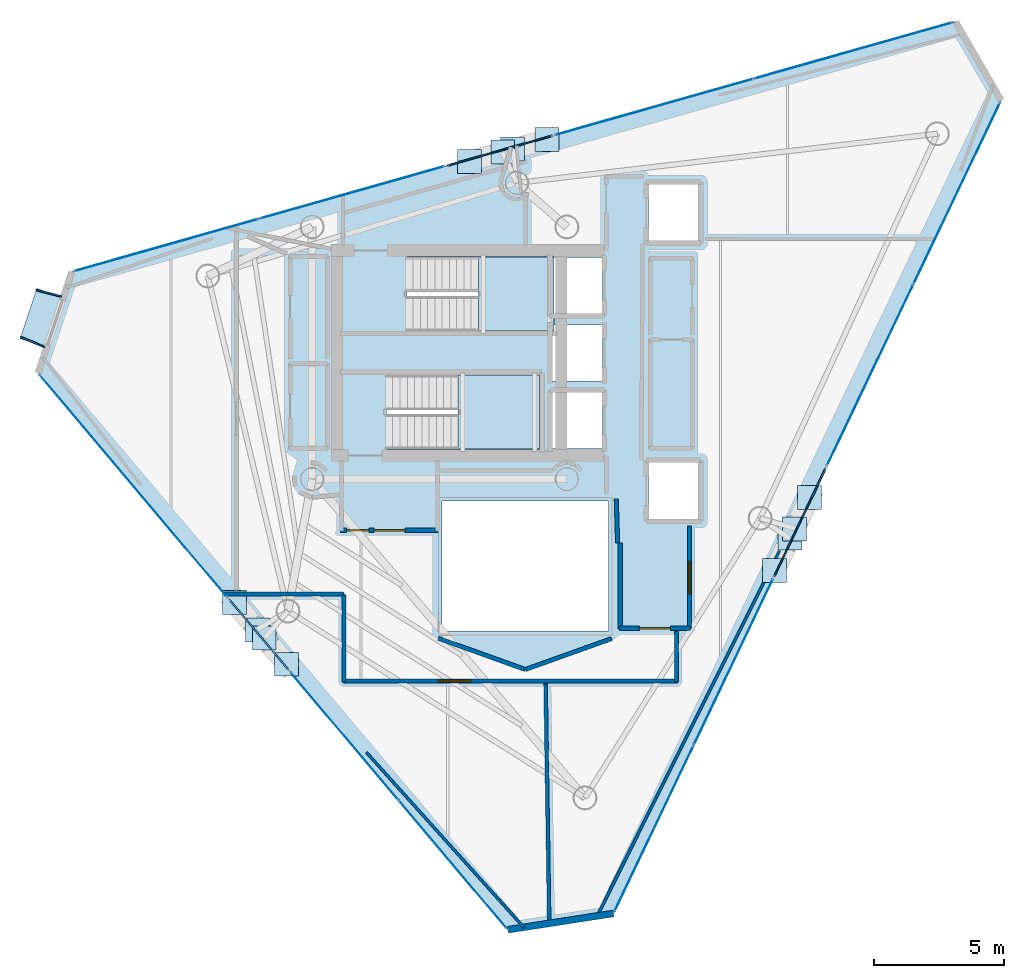
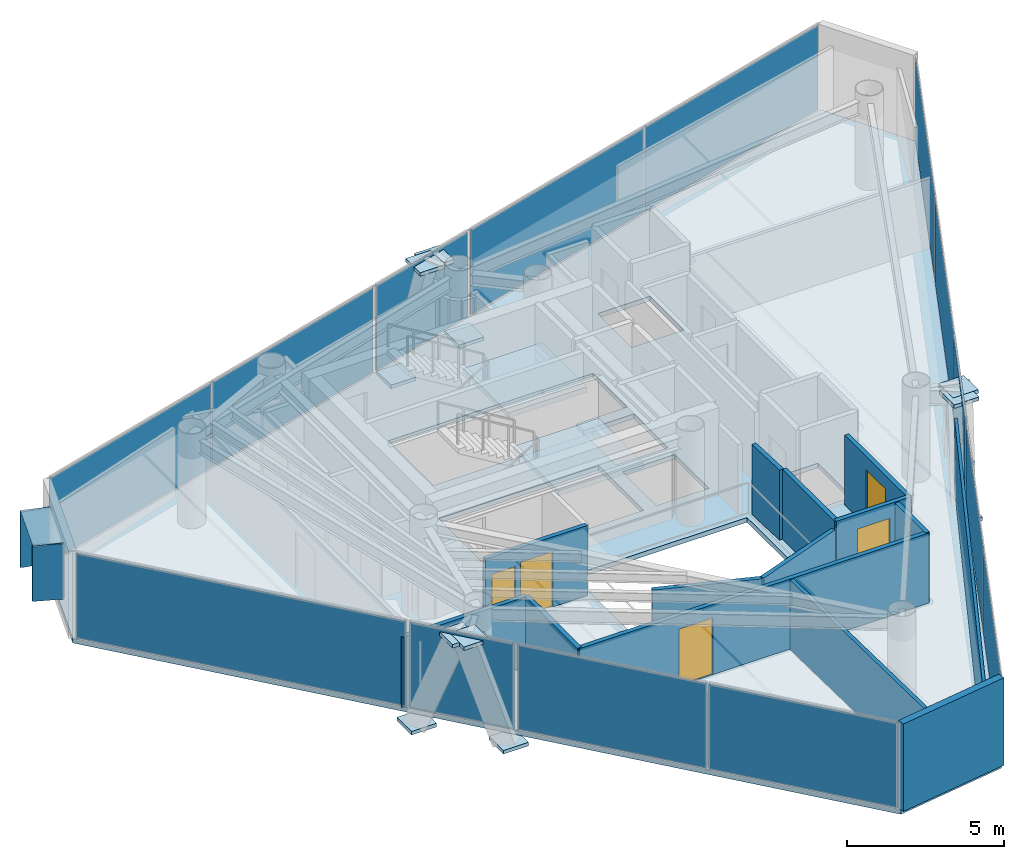
# One storey, part 16 of 20: 29 plates, 15 walls, 5 doors, 3 slabs, 5 openings, 11 elements without a shape of their own.
"""IFC4 building model written with IfcOpenShell, lengths in metres."""

from ifc_helpers import new_model, si_unit, direction, frame, frame_2d, origin, origin_2d, place, context, subcontext, project, spatial, polyline, rectangle, outline, extrude, material, layer, layer_set, type_object, element, fill, aggregate, save


model = new_model("IFC4")

# Units and contexts
model_context = context("Model", 3, precision=1e-05, world=origin(), true_north=direction((0.0, 1.0)))
body_context = subcontext(model_context, "Body", "Model", "MODEL_VIEW")
ifc_project = project(units=[si_unit("LENGTHUNIT", "METRE"), si_unit("AREAUNIT", "SQUARE_METRE"), si_unit("VOLUMEUNIT", "CUBIC_METRE"), si_unit("PLANEANGLEUNIT", "RADIAN"), si_unit("MASSUNIT", "GRAM", prefix="KILO")], contexts=[model_context])

# Site, building, storey
site_placement = place(None, origin())
site = spatial("IfcSite", under=ifc_project, at=site_placement, CompositionType="ELEMENT")
building_placement = place(site_placement, origin())
building = spatial("IfcBuilding", under=site, at=building_placement, Name="Qianvela Tower", CompositionType="ELEMENT")
storey_placement = place(building_placement, frame((0.0, 0.0, 317.60009765625)))
storey = spatial("IfcBuildingStorey", under=building, at=storey_placement, Name="L82", CompositionType="ELEMENT", Elevation=317.60009765625)

# Curtain wall, plate
ifc_material_1 = material(Name="Anodised Architectural Aluminium and Insulated Spandrel Panel", Category="aluminium")
ifc_layer_1 = layer(ifc_material_1, 0.179931640625)
ifc_layer_set_1 = layer_set([ifc_layer_1], Name="Anodised Architectural Aluminium and Insulated Spandrel Panel")
curtain_wall_type_1 = type_object("IfcCurtainWallType", Name="CW-BRACEBAY", PredefinedType="USERDEFINED", material=ifc_layer_set_1)
curtain_wall_1_placement = place(storey_placement, origin())
curtain_wall_1 = element("IfcCurtainWall", 1, at=curtain_wall_1_placement, inside=storey, type_object=curtain_wall_type_1, Name="L82 CW-BRACEBAY Curtain Wall 02B", ObjectType="CURTAIN_WALL_SYSTEM", PredefinedType="USERDEFINED")
ifc_material_2 = material(Name="Insulated Aluminium Spandrel Panel with Mineral-Wool Backpan", Category="aluminium")
ifc_layer_2 = layer(ifc_material_2, 0.06005859375)
ifc_layer_set_2 = layer_set([ifc_layer_2], Name="Insulated Aluminium Spandrel Panel with Mineral-Wool Backpan")
plate_type_1 = type_object("IfcPlateType", Name="CW-BRACEBAY-PNL", PredefinedType="CURTAIN_PANEL", material=ifc_layer_set_2)
plate_1_placement = place(storey_placement, frame((35.81640625, 36.483154296875, 0.06494140625), z_axis=(0.0, 0.0, 1.0), x_axis=(-0.962186542672, -0.272391367522, 0.0)))
plate_1 = element("IfcPlate", 2, at=plate_1_placement, type_object=plate_type_1, Name="CW-9 panel 1.1", PredefinedType="CURTAIN_PANEL", context=body_context, shape_type="SweptSolid", body=[
    extrude(rectangle(XDim=4.179931640625, YDim=0.06005859375, at=origin_2d()), origin(), (0.0, 0.0, 1.0), 3.27001953125),
])
aggregate(curtain_wall_1, [plate_1])

curtain_wall_2_placement = place(storey_placement, origin())
curtain_wall_2 = element("IfcCurtainWall", 3, at=curtain_wall_2_placement, inside=storey, type_object=curtain_wall_type_1, Name="L82 CW-BRACEBAY Curtain Wall 04B", ObjectType="CURTAIN_WALL_SYSTEM", PredefinedType="USERDEFINED")
plate_2_placement = place(storey_placement, frame((26.557861328125, 17.861083984375, 0.06494140625), z_axis=(0.0, 0.0, 1.0), x_axis=(0.644926645365, -0.764244477964, 0.0)))
plate_2 = element("IfcPlate", 4, at=plate_2_placement, type_object=plate_type_1, Name="CW-9 panel 1.1", PredefinedType="CURTAIN_PANEL", context=body_context, shape_type="SweptSolid", body=[
    extrude(rectangle(XDim=3.5400390625, YDim=0.06005859375, at=origin_2d()), origin(), (0.0, 0.0, 1.0), 3.27001953125),
])
aggregate(curtain_wall_2, [plate_2])

curtain_wall_3_placement = place(storey_placement, origin())
curtain_wall_3 = element("IfcCurtainWall", 5, at=curtain_wall_3_placement, inside=storey, type_object=curtain_wall_type_1, Name="L82 CW-BRACEBAY Curtain Wall 06B", ObjectType="CURTAIN_WALL_SYSTEM", PredefinedType="USERDEFINED")
plate_3_placement = place(storey_placement, frame((47.364501953125, 22.187255859375, 0.06494140625), z_axis=(0.0, 0.0, 1.0), x_axis=(0.43029878831, 0.902686519662, 0.0)))
plate_3 = element("IfcPlate", 6, at=plate_3_placement, type_object=plate_type_1, Name="CW-9 panel 1.1", PredefinedType="CURTAIN_PANEL", context=body_context, shape_type="SweptSolid", body=[
    extrude(rectangle(XDim=4.60986328125, YDim=0.06005859375, at=origin_2d()), origin(), (0.0, 0.0, 1.0), 3.27001953125),
])
aggregate(curtain_wall_3, [plate_3])

# Curtain wall, plates
ifc_material_3 = material(Name="Anodised Architectural Aluminium and Low-E Glass", Category="aluminium")
ifc_layer_3 = layer(ifc_material_3, 0.14990234375)
ifc_layer_set_3 = layer_set([ifc_layer_3], Name="Anodised Architectural Aluminium and Low-E Glass")
curtain_wall_type_2 = type_object("IfcCurtainWallType", Name="CW-COLIV-Z78", PredefinedType="USERDEFINED", material=ifc_layer_set_3)
curtain_wall_4_placement = place(storey_placement, origin())
curtain_wall_4 = element("IfcCurtainWall", 7, at=curtain_wall_4_placement, inside=storey, type_object=curtain_wall_type_2, Name="L82 CW-COLIV-Z78 Curtain Wall 02A", ObjectType="CURTAIN_WALL_SYSTEM", PredefinedType="USERDEFINED")
ifc_material_4 = material(Name="Double-Silver Low-E Insulated Glass", Category="glass")
ifc_layer_4 = layer(ifc_material_4, 0.02587890625)
ifc_layer_set_4 = layer_set([ifc_layer_4], Name="Double-Silver Low-E Insulated Glass")
plate_type_2 = type_object("IfcPlateType", Name="CW-COLIV-Z78-PNL", PredefinedType="CURTAIN_PANEL", material=ifc_layer_set_4)
plate_4_placement = place(storey_placement, frame((49.428955078125, 40.3369140625, 0.06005859375), z_axis=(0.0, 0.0, 1.0), x_axis=(-0.9621846427, -0.272398078833, 0.0)))
plate_4 = element("IfcPlate", 8, at=plate_4_placement, type_object=plate_type_2, Name="CW-6 panel 1.1", PredefinedType="CURTAIN_PANEL", context=body_context, shape_type="SweptSolid", body=[
    extrude(rectangle(XDim=7.9150390625, YDim=0.02587890625, at=origin_2d()), origin(), (0.0, 0.0, 1.0), 3.280029296875),
])
plate_5_placement = place(storey_placement, frame((41.755615234375, 38.16455078125, 0.06005859375), z_axis=(0.0, 0.0, 1.0), x_axis=(-0.9621846427, -0.272398078833, 0.0)))
plate_5 = element("IfcPlate", 9, at=plate_5_placement, type_object=plate_type_2, Name="CW-6 panel 2.1", PredefinedType="CURTAIN_PANEL", context=body_context, shape_type="SweptSolid", body=[
    extrude(rectangle(XDim=7.9150390625, YDim=0.02587890625, at=origin_2d()), origin(), (0.0, 0.0, 1.0), 3.280029296875),
])
aggregate(curtain_wall_4, [plate_4, plate_5])

curtain_wall_5_placement = place(storey_placement, origin())
curtain_wall_5 = element("IfcCurtainWall", 10, at=curtain_wall_5_placement, inside=storey, type_object=curtain_wall_type_2, Name="L82 CW-COLIV-Z78 Curtain Wall 02C", ObjectType="CURTAIN_WALL_SYSTEM", PredefinedType="USERDEFINED")
plate_6_placement = place(storey_placement, frame((30.14501953125, 34.87744140625, 0.06005859375), z_axis=(0.0, 0.0, 1.0), x_axis=(-0.962183774994, -0.272401143792, 0.0)))
plate_6 = element("IfcPlate", 11, at=plate_6_placement, type_object=plate_type_2, Name="CW-6 panel 1.1", PredefinedType="CURTAIN_PANEL", context=body_context, shape_type="SweptSolid", body=[
    extrude(rectangle(XDim=7.35888671875, YDim=0.02587890625, at=origin_2d()), origin(), (0.0, 0.0, 1.0), 3.280029296875),
])
plate_7_placement = place(storey_placement, frame((23.006591796875, 32.8564453125, 0.06005859375), z_axis=(0.0, 0.0, 1.0), x_axis=(-0.962183774994, -0.272401143792, 0.0)))
plate_7 = element("IfcPlate", 12, at=plate_7_placement, type_object=plate_type_2, Name="CW-6 panel 2.1", PredefinedType="CURTAIN_PANEL", context=body_context, shape_type="SweptSolid", body=[
    extrude(rectangle(XDim=7.35888671875, YDim=0.02587890625, at=origin_2d()), origin(), (0.0, 0.0, 1.0), 3.280029296875),
])
aggregate(curtain_wall_5, [plate_6, plate_7])

# Curtain wall, plate
curtain_wall_6_placement = place(storey_placement, origin())
curtain_wall_6 = element("IfcCurtainWall", 13, at=curtain_wall_6_placement, inside=storey, type_object=curtain_wall_type_2, Name="L82 CW-COLIV-Z78 Curtain Wall 04A", ObjectType="CURTAIN_WALL_SYSTEM", PredefinedType="USERDEFINED")
plate_8_placement = place(storey_placement, frame((21.733642578125, 23.57763671875, 0.06005859375), z_axis=(0.0, 0.0, 1.0), x_axis=(0.644931569476, -0.764240322603, 0.0)))
plate_8 = element("IfcPlate", 14, at=plate_8_placement, type_object=plate_type_2, Name="CW-6 panel 1.1", PredefinedType="CURTAIN_PANEL", context=body_context, shape_type="SweptSolid", body=[
    extrude(rectangle(XDim=11.169921875, YDim=0.02587890625, at=origin_2d()), origin(), (0.0, 0.0, 1.0), 3.280029296875),
])
aggregate(curtain_wall_6, [plate_8])

# Curtain wall, plates
curtain_wall_7_placement = place(storey_placement, origin())
curtain_wall_7 = element("IfcCurtainWall", 15, at=curtain_wall_7_placement, inside=storey, type_object=curtain_wall_type_2, Name="L82 CW-COLIV-Z78 Curtain Wall 04C", ObjectType="CURTAIN_WALL_SYSTEM", PredefinedType="USERDEFINED")
plate_9_placement = place(storey_placement, frame((29.841064453125, 13.970458984375, 0.06005859375), z_axis=(0.0, 0.0, 1.0), x_axis=(0.644926417582, -0.764244670184, 0.0)))
plate_9 = element("IfcPlate", 16, at=plate_9_placement, type_object=plate_type_2, Name="CW-6 panel 1.1", PredefinedType="CURTAIN_PANEL", context=body_context, shape_type="SweptSolid", body=[
    extrude(rectangle(XDim=6.391845703125, YDim=0.02587890625, at=origin_2d()), origin(), (0.0, 0.0, 1.0), 3.280029296875),
])
plate_10_placement = place(storey_placement, frame((34.002197265625, 9.039794921875, 0.06005859375), z_axis=(0.0, 0.0, 1.0), x_axis=(0.644926417582, -0.764244670184, 0.0)))
plate_10 = element("IfcPlate", 17, at=plate_10_placement, type_object=plate_type_2, Name="CW-6 panel 2.1", PredefinedType="CURTAIN_PANEL", context=body_context, shape_type="SweptSolid", body=[
    extrude(rectangle(XDim=6.391845703125, YDim=0.02587890625, at=origin_2d()), origin(), (0.0, 0.0, 1.0), 3.280029296875),
])
aggregate(curtain_wall_7, [plate_9, plate_10])

curtain_wall_8_placement = place(storey_placement, origin())
curtain_wall_8 = element("IfcCurtainWall", 18, at=curtain_wall_8_placement, inside=storey, type_object=curtain_wall_type_2, Name="L82 CW-COLIV-Z78 Curtain Wall 06A", ObjectType="CURTAIN_WALL_SYSTEM", PredefinedType="USERDEFINED")
plate_11_placement = place(storey_placement, frame((41.752197265625, 10.413818359375, 0.06005859375), z_axis=(0.0, 0.0, 1.0), x_axis=(0.430306457362, 0.902682863885, 0.0)))
plate_11 = element("IfcPlate", 19, at=plate_11_placement, type_object=plate_type_2, Name="CW-6 panel 1.1", PredefinedType="CURTAIN_PANEL", context=body_context, shape_type="SweptSolid", body=[
    extrude(rectangle(XDim=7.03515625, YDim=0.02587890625, at=origin_2d()), origin(), (0.0, 0.0, 1.0), 3.280029296875),
])
plate_12_placement = place(storey_placement, frame((44.80517578125, 16.818359375, 0.06005859375), z_axis=(0.0, 0.0, 1.0), x_axis=(0.430306457362, 0.902682863885, 0.0)))
plate_12 = element("IfcPlate", 20, at=plate_12_placement, type_object=plate_type_2, Name="CW-6 panel 2.1", PredefinedType="CURTAIN_PANEL", context=body_context, shape_type="SweptSolid", body=[
    extrude(rectangle(XDim=7.03515625, YDim=0.02587890625, at=origin_2d()), origin(), (0.0, 0.0, 1.0), 3.280029296875),
])
aggregate(curtain_wall_8, [plate_11, plate_12])

curtain_wall_9_placement = place(storey_placement, origin())
curtain_wall_9 = element("IfcCurtainWall", 21, at=curtain_wall_9_placement, inside=storey, type_object=curtain_wall_type_2, Name="L82 CW-COLIV-Z78 Curtain Wall 06C", ObjectType="CURTAIN_WALL_SYSTEM", PredefinedType="USERDEFINED")
plate_13_placement = place(storey_placement, frame((50.064453125, 27.851318359375, 0.06005859375), z_axis=(0.0, 0.0, 1.0), x_axis=(0.430308020363, 0.902682118806, 0.0)))
plate_13 = element("IfcPlate", 22, at=plate_13_placement, type_object=plate_type_2, Name="CW-6 panel 1.1", PredefinedType="CURTAIN_PANEL", context=body_context, shape_type="SweptSolid", body=[
    extrude(rectangle(XDim=7.689453125, YDim=0.02587890625, at=origin_2d()), origin(), (0.0, 0.0, 1.0), 3.280029296875),
])
plate_14_placement = place(storey_placement, frame((53.399169921875, 34.846435546875, 0.06005859375), z_axis=(0.0, 0.0, 1.0), x_axis=(0.430308020363, 0.902682118806, 0.0)))
plate_14 = element("IfcPlate", 23, at=plate_14_placement, type_object=plate_type_2, Name="CW-6 panel 2.1", PredefinedType="CURTAIN_PANEL", context=body_context, shape_type="SweptSolid", body=[
    extrude(rectangle(XDim=7.689453125, YDim=0.02587890625, at=origin_2d()), origin(), (0.0, 0.0, 1.0), 3.280029296875),
])
aggregate(curtain_wall_9, [plate_13, plate_14])

# Plates
ifc_material_5 = material(Name="Steel Q420GJC", Category="steel")
ifc_layer_5 = layer(ifc_material_5, 0.139892578125)
ifc_layer_set_5 = layer_set([ifc_layer_5], Name="Steel Q420GJC")
plate_type_3 = type_object("IfcPlateType", Name="PT-GUSSET-NODE-140", PredefinedType="USERDEFINED", material=ifc_layer_set_5)
for number, where, z_axis, x_axis, name in (
    (24, (37.64111328125, 36.91650390625, -0.61279296875), (0.0, 0.0, 1.0), (1.0, 0.0, 0.0), "L82 Node Gusset Plate A"),
    (25, (36.313720703125, 36.540771484375, 3.0888671875), (0.0, 0.0, 1.0), (1.0, 0.0, 0.0), "L82 Node Gusset Plate B"),
    (26, (34.6494140625, 36.069580078125, -0.61328125), (0.0, 0.0, 1.0), (1.0, 0.0, 0.0), "L82 Node Gusset Plate A"),
    (27, (35.933349609375, 36.43310546875, 3.0888671875), (0.0, 0.0, 1.0), (1.0, 0.0, 0.0), "L82 Node Gusset Plate B"),
    (28, (25.613525390625, 19.104248046875, -0.61279296875), (0.0, 0.0, 1.0), (1.0, 0.0, 0.0), "L82 Node Gusset Plate A"),
    (29, (26.50439453125, 18.048583984375, 3.0888671875), (0.0, 0.0, 1.0), (1.0, 0.0, 0.0), "L82 Node Gusset Plate B"),
    (30, (27.618896484375, 16.727783203125, -0.61328125), (0.0, 0.0, 1.0), (1.0, 0.0, 0.0), "L82 Node Gusset Plate A"),
    (31, (26.75927734375, 17.746337890625, 3.08935546875), (0.0, 0.0, 1.0), (1.0, 0.0, 0.0), "L82 Node Gusset Plate B"),
    (32, (46.390869140625, 20.33056640625, -0.61279296875), (0.0, 0.0, 1.0), (1.0, 0.0, 0.0), "L82 Node Gusset Plate A"),
    (33, (46.9853515625, 21.57763671875, 3.0888671875), (0.0, 0.0, 1.0), (1.0, 0.0, 0.0), "L82 Node Gusset Plate B"),
    (34, (47.72900390625, 23.137451171875, -0.61328125), (0.0, 0.0, 1.0), (1.0, 0.0, 0.0), "L82 Node Gusset Plate A"),
    (35, (47.155517578125, 21.934326171875, 3.08935546875), (0.0, 0.0, 1.0), (1.0, 0.0, 0.0), "L82 Node Gusset Plate B"),
):
    element("IfcPlate", number, at=place(storey_placement, frame(where, z_axis=z_axis, x_axis=x_axis)), inside=storey, type_object=plate_type_3, Name=name, ObjectType="GUSSET_PLATE", PredefinedType="USERDEFINED", context=body_context, shape_type="SweptSolid", body=[
        extrude(rectangle(XDim=0.919921875, YDim=0.919921875, at=origin_2d()), origin(), (0.0, 0.0, 1.0), 0.139892578125),
    ])

# Slab
ifc_material_6 = material(Name="Concrete C40", Category="concrete")
ifc_layer_6 = layer(ifc_material_6, 0.179931640625)
ifc_layer_set_6 = layer_set([ifc_layer_6], Name="Concrete C40")
slab_type_1 = type_object("IfcSlabType", Name="SL-FLOOR-180", PredefinedType="FLOOR", material=ifc_layer_set_6)
slab_1_placement = place(storey_placement, frame((0.0, 0.0, -0.18017578125)))
element("IfcSlab", 36, at=slab_1_placement, inside=storey, type_object=slab_type_1, Name="L82 Composite Structural Floor Slab", PredefinedType="FLOOR", context=body_context, shape_type="SweptSolid", body=[
    extrude(outline(polyline([(55.100830078125, 38.416259765625), (53.3427734375, 41.44482421875), (19.3603515625, 31.82421875), (18.060791015625, 27.93017578125), (36.134033203125, 6.51318359375), (40.19140625, 7.139404296875), (55.100830078125, 38.416259765625)]), holes=[polyline([(40.0, 23.0), (33.60009765625, 23.0), (33.60009765625, 18.0), (40.0, 18.0), (40.0, 23.0)]), polyline([(43.4599609375, 24.47998046875), (41.5400390625, 24.47998046875), (41.5400390625, 22.320068359375), (43.4599609375, 22.320068359375), (43.4599609375, 24.47998046875)]), polyline([(39.760009765625, 27.179931640625), (37.840087890625, 27.179931640625), (37.840087890625, 25.02001953125), (39.760009765625, 25.02001953125), (39.760009765625, 27.179931640625)]), polyline([(37.35009765625, 27.860107421875), (31.469970703125, 27.860107421875), (31.469970703125, 25.0), (37.35009765625, 25.0), (37.35009765625, 27.860107421875)]), polyline([(39.760009765625, 27.6201171875), (39.760009765625, 29.780029296875), (37.89990234375, 29.780029296875), (37.89990234375, 30.219970703125), (39.760009765625, 30.219970703125), (39.760009765625, 32.3798828125), (37.89990234375, 32.3798828125), (37.89990234375, 32.39990234375), (32.25, 32.39990234375), (32.25, 29.5400390625), (37.840087890625, 29.5400390625), (37.840087890625, 27.6201171875), (39.760009765625, 27.6201171875)]), polyline([(43.4599609375, 35.179931640625), (41.5400390625, 35.179931640625), (41.5400390625, 33.02001953125), (43.4599609375, 33.02001953125), (43.4599609375, 35.179931640625)])]), origin(), (0.0, 0.0, 1.0), 0.18017578125),
])

# Stair, slab
ifc_material_7 = material(Name="Concrete C40", Category="concrete")
stair_type = type_object("IfcStairType", Name="ST-DOGLEG-1350-R168-N22", PredefinedType="HALF_TURN_STAIR", material=ifc_material_7)
stair_1_placement = place(storey_placement, origin())
stair_1 = element("IfcStair", 37, at=stair_1_placement, inside=storey, type_object=stair_type, Name="L82 Smoke-Proof Core Stair ST-1", PredefinedType="HALF_TURN_STAIR")
ifc_material_8 = material(Name="Concrete C40", Category="concrete")
ifc_layer_7 = layer(ifc_material_8, 0.199951171875)
ifc_layer_set_7 = layer_set([ifc_layer_7], Name="Concrete C40")
slab_type_2 = type_object("IfcSlabType", Name="SL-STAIR-LANDING-200", PredefinedType="LANDING", material=ifc_layer_set_7)
slab_2_placement = place(storey_placement, frame((0.0, 0.0, 1.64990234375)))
slab_2 = element("IfcSlab", 38, at=slab_2_placement, type_object=slab_type_2, Name="ST-1 landing 1", PredefinedType="LANDING", context=body_context, shape_type="SweptSolid", body=[
    extrude(outline(polyline([(35.0, 29.5400390625), (37.89990234375, 29.5400390625), (37.89990234375, 32.39990234375), (35.0, 32.39990234375), (35.0, 29.5400390625)])), origin(), (0.0, 0.0, 1.0), 0.199951171875),
])
aggregate(stair_1, [slab_2])

stair_2_placement = place(storey_placement, origin())
stair_2 = element("IfcStair", 39, at=stair_2_placement, inside=storey, type_object=stair_type, Name="L82 Smoke-Proof Core Stair ST-2", PredefinedType="HALF_TURN_STAIR")
slab_3_placement = place(storey_placement, frame((0.0, 0.0, 1.64990234375)))
slab_3 = element("IfcSlab", 40, at=slab_3_placement, type_object=slab_type_2, Name="ST-2 landing 1", PredefinedType="LANDING", context=body_context, shape_type="SweptSolid", body=[
    extrude(outline(polyline([(34.219970703125, 25.0), (37.35009765625, 25.0), (37.35009765625, 27.860107421875), (34.219970703125, 27.860107421875), (34.219970703125, 25.0)])), origin(), (0.0, 0.0, 1.0), 0.199951171875),
])
aggregate(stair_2, [slab_3])

# Plates
ifc_material_9 = material(Name="Vitrified Architectural Terracotta Panel", Category="masonry")
ifc_layer_8 = layer(ifc_material_9, 0.06005859375)
ifc_layer_set_8 = layer_set([ifc_layer_8], Name="Vitrified Architectural Terracotta Panel")
plate_type_4 = type_object("IfcPlateType", Name="TERRACOTTA-SUNSHADE-HOOD-FOLD-A", PredefinedType="USERDEFINED", material=ifc_layer_set_8)
plate_15_placement = place(storey_placement, frame((18.15576171875, 30.0625, 2.9599609375), z_axis=(0.0, 0.0, 1.0), x_axis=(-0.316541535615, -0.948578650524, 0.0)))
element("IfcPlate", 41, at=plate_15_placement, inside=storey, type_object=plate_type_4, Name="L82 Terracotta Sunshade Hood FOLD-A", ObjectType="SUNSHADE", PredefinedType="USERDEFINED", context=body_context, shape_type="SweptSolid", body=[
    extrude(rectangle(XDim=2.0400390625, YDim=0.989990234375, at=origin_2d()), origin(), (0.0, 0.0, 1.0), 0.06005859375),
])
ifc_material_10 = material(Name="Vitrified Architectural Terracotta Side Fin Panel", Category="masonry")
ifc_layer_9 = layer(ifc_material_10, 0.06494140625)
ifc_layer_set_9 = layer_set([ifc_layer_9], Name="Vitrified Architectural Terracotta Side Fin Panel")
plate_type_5 = type_object("IfcPlateType", Name="TERRACOTTA-SUNSHADE-STRUT-FOLD-A", PredefinedType="USERDEFINED", material=ifc_layer_set_9)
for number, where, z_axis, x_axis, name in (
    (42, (18.468994140625, 31.00146484375, 0.85009765625), (0.0, 0.0, 1.0), (-0.249600954614, -0.968348781925, 0.0), "L82 Terracotta Sunshade Side Fin HL FOLD-A"),
    (43, (17.84228515625, 29.123291015625, 0.85009765625), (0.0, 0.0, 1.0), (-0.381939958074, -0.924187139289, 0.0), "L82 Terracotta Sunshade Side Fin HR FOLD-A"),
):
    element("IfcPlate", number, at=place(storey_placement, frame(where, z_axis=z_axis, x_axis=x_axis)), inside=storey, type_object=plate_type_5, Name=name, ObjectType="SUNSHADE", PredefinedType="USERDEFINED", context=body_context, shape_type="SweptSolid", body=[
        extrude(rectangle(XDim=0.06494140625, YDim=1.010009765625, at=origin_2d()), origin(), (0.0, 0.0, 1.0), 2.159912109375),
    ])

# Wall
ifc_material_11 = material(Name="Terracotta Cladding on Concrete C40", Category="masonry")
ifc_layer_10 = layer(ifc_material_11, 0.260009765625)
ifc_layer_set_10 = layer_set([ifc_layer_10], Name="Terracotta Cladding on Concrete C40")
wall_type_1 = type_object("IfcWallType", Name="TERRACOTTA-WALL-260", PredefinedType="SOLIDWALL", material=ifc_layer_set_10)
wall_1_placement = place(storey_placement, frame((36.134033203125, 6.51318359375, 0.0), z_axis=(0.0, 0.0, 1.0), x_axis=(0.98829802047, 0.152535316355, 0.0)))
element("IfcWall", 44, at=wall_1_placement, inside=storey, type_object=wall_type_1, Name="L82 Terracotta Chamfer Facet Wall 5", PredefinedType="SOLIDWALL", context=body_context, shape_type="SweptSolid", body=[
    extrude(rectangle(XDim=4.10546875, YDim=0.260009765625, at=frame_2d((2.052734375, 0.0))), origin(), (0.0, 0.0, 1.0), 3.39990234375),
])

# Wall, openings, doors
ifc_material_12 = material(Name="Fire-Rated Gypsum and Concrete Block", Category="concrete")
ifc_layer_11 = layer(ifc_material_12, 0.159912109375)
ifc_layer_set_11 = layer_set([ifc_layer_11], Name="Fire-Rated Gypsum and Concrete Block")
wall_type_2 = type_object("IfcWallType", Name="WT-CORR-160", PredefinedType="PARTITIONING", material=ifc_layer_set_11)
wall_2_placement = place(storey_placement, frame((33.449951171875, 21.881103515625, 0.0), z_axis=(0.0, 0.0, 1.0), x_axis=(-1.0, 0.0, 0.0)))
wall_2 = element("IfcWall", 45, at=wall_2_placement, inside=storey, type_object=wall_type_2, Name="L82 Partition 13", PredefinedType="PARTITIONING", context=body_context, shape_type="SweptSolid", body=[
    extrude(rectangle(XDim=3.75, YDim=0.159912109375, at=frame_2d((1.875, 0.0))), origin(), (0.0, 0.0, 1.0), 2.719970703125),
])
opening_1_placement = place(wall_2_placement, frame((1.27490234375, 0.0, 0.0)))
opening_1 = element("IfcOpeningElement", 46, at=opening_1_placement, cuts=wall_2, Name="Opening D-LB1", PredefinedType="OPENING", context=body_context, shape_type="SweptSolid", body=[
    extrude(rectangle(XDim=1.199951171875, YDim=2.14990234375, at=frame_2d((0.60009765625, 1.074951171875))), frame((0.0, 0.08984375, 0.0), z_axis=(0.0, -1.0, 0.0), x_axis=(1.0, 0.0, 0.0)), (0.0, 0.0, 1.0), 0.179931640625),
])
opening_2_placement = place(wall_2_placement, frame((2.659912109375, 0.0, 0.0)))
opening_2 = element("IfcOpeningElement", 47, at=opening_2_placement, cuts=wall_2, Name="Opening D-LB2", PredefinedType="OPENING", context=body_context, shape_type="SweptSolid", body=[
    extrude(rectangle(XDim=0.860107421875, YDim=2.050048828125, at=frame_2d((0.43017578125, 1.02490234375))), frame((0.0, 0.08984375, 0.0), z_axis=(0.0, -1.0, 0.0), x_axis=(1.0, 0.0, 0.0)), (0.0, 0.0, 1.0), 0.179931640625),
])
ifc_material_13 = material(Name="Glazed Fire-Rated Steel Frame", Category="steel")
door_type_1 = type_object("IfcDoorType", Name="DT-LOBBY-FD90", OperationType="NOTDEFINED", PredefinedType="DOOR", material=ifc_material_13)
door_1_placement = place(opening_1_placement, origin())
door_1 = element("IfcDoor", 48, at=door_1_placement, inside=storey, type_object=door_type_1, Name="L82 Door L82 Firefighting Lobby South to L82 Floor Corridor", OperationType="SINGLE_SWING_RIGHT", OverallHeight=2.14990234375, OverallWidth=1.199951171875, PredefinedType="DOOR", context=body_context, shape_type="SweptSolid", body=[
    extrude(rectangle(XDim=1.199951171875, YDim=2.14990234375, at=frame_2d((0.60009765625, 1.074951171875))), frame((0.0, 0.02490234375, 0.0), z_axis=(0.0, -1.0, 0.0), x_axis=(1.0, 0.0, 0.0)), (0.0, 0.0, 1.0), 0.050048828125),
])
fill(opening_1, door_1)
ifc_material_14 = material(Name="Insulated Steel Fire Door Q355B", Category="steel")
door_type_2 = type_object("IfcDoorType", Name="DT-LOBBY-FD90-860", OperationType="NOTDEFINED", PredefinedType="DOOR", material=ifc_material_14)
door_2_placement = place(opening_2_placement, origin())
door_2 = element("IfcDoor", 49, at=door_2_placement, inside=storey, type_object=door_type_2, Name="L82 Door L82 Firefighting Lobby South to L82 Floor Corridor", OperationType="SINGLE_SWING_RIGHT", OverallHeight=2.050048828125, OverallWidth=0.860107421875, PredefinedType="DOOR", context=body_context, shape_type="SweptSolid", body=[
    extrude(rectangle(XDim=0.860107421875, YDim=2.050048828125, at=frame_2d((0.43017578125, 1.02490234375))), frame((0.0, 0.02490234375, 0.0), z_axis=(0.0, -1.0, 0.0), x_axis=(1.0, 0.0, 0.0)), (0.0, 0.0, 1.0), 0.050048828125),
])
fill(opening_2, door_2)

# Wall
wall_3_placement = place(storey_placement, frame((40.35107421875, 21.40087890625, 0.0), z_axis=(0.0, 0.0, 1.0), x_axis=(-0.031058045979, 0.999517582527, 0.0)))
element("IfcWall", 50, at=wall_3_placement, inside=storey, type_object=wall_type_2, Name="L82 Partition 17", PredefinedType="PARTITIONING", context=body_context, shape_type="SweptSolid", body=[
    extrude(rectangle(XDim=1.68212890625, YDim=0.159912109375, at=frame_2d((0.841064453125, 0.0))), origin(), (0.0, 0.0, 1.0), 2.719970703125),
])

# Wall, opening, door
wall_4_placement = place(storey_placement, frame((43.118896484375, 22.050048828125, 0.0), z_axis=(0.0, 0.0, 1.0), x_axis=(0.0, -1.0, 0.0)))
wall_4 = element("IfcWall", 51, at=wall_4_placement, inside=storey, type_object=wall_type_2, Name="L82 Partition 24", PredefinedType="PARTITIONING", context=body_context, shape_type="SweptSolid", body=[
    extrude(rectangle(XDim=3.969970703125, YDim=0.159912109375, at=frame_2d((1.98486328125, 0.0))), origin(), (0.0, 0.0, 1.0), 2.719970703125),
])
opening_3_placement = place(wall_4_placement, frame((1.360107421875, 0.0, 0.0)))
opening_3 = element("IfcOpeningElement", 52, at=opening_3_placement, cuts=wall_4, Name="Opening D-LG1", PredefinedType="OPENING", context=body_context, shape_type="SweptSolid", body=[
    extrude(rectangle(XDim=1.25, YDim=2.199951171875, at=frame_2d((0.625, 1.10009765625))), frame((0.0, 0.08984375, 0.0), z_axis=(0.0, -1.0, 0.0), x_axis=(1.0, 0.0, 0.0)), (0.0, 0.0, 1.0), 0.179931640625),
])
ifc_material_15 = material(Name="Anodised Aluminium Acoustic Glass Door", Category="aluminium")
door_type_3 = type_object("IfcDoorType", Name="DT-LOUNGE-1250", OperationType="NOTDEFINED", PredefinedType="DOOR", material=ifc_material_15)
door_3_placement = place(opening_3_placement, origin())
door_3 = element("IfcDoor", 53, at=door_3_placement, inside=storey, type_object=door_type_3, Name="L82 Door Project Huddle Conference L82-02 to L82 Lift Lobby", OperationType="SINGLE_SWING_RIGHT", OverallHeight=2.199951171875, OverallWidth=1.25, PredefinedType="DOOR", context=body_context, shape_type="SweptSolid", body=[
    extrude(rectangle(XDim=1.25, YDim=2.199951171875, at=frame_2d((0.625, 1.10009765625))), frame((0.0, 0.02490234375, 0.0), z_axis=(0.0, -1.0, 0.0), x_axis=(1.0, 0.0, 0.0)), (0.0, 0.0, 1.0), 0.050048828125),
])
fill(opening_3, door_3)

wall_5_placement = place(storey_placement, frame((43.14990234375, 18.111083984375, 0.0), z_axis=(0.0, 0.0, 1.0), x_axis=(-1.0, 0.0, 0.0)))
wall_5 = element("IfcWall", 54, at=wall_5_placement, inside=storey, type_object=wall_type_2, Name="L82 Partition 25", PredefinedType="PARTITIONING", context=body_context, shape_type="SweptSolid", body=[
    extrude(rectangle(XDim=2.72998046875, YDim=0.159912109375, at=frame_2d((1.364990234375, 0.0))), origin(), (0.0, 0.0, 1.0), 2.719970703125),
])
opening_4_placement = place(wall_5_placement, frame((0.764892578125, 0.0, 0.0)))
opening_4 = element("IfcOpeningElement", 55, at=opening_4_placement, cuts=wall_5, Name="Opening D-LB1", PredefinedType="OPENING", context=body_context, shape_type="SweptSolid", body=[
    extrude(rectangle(XDim=1.199951171875, YDim=2.14990234375, at=frame_2d((0.60009765625, 1.074951171875))), frame((0.0, 0.08984375, 0.0), z_axis=(0.0, -1.0, 0.0), x_axis=(1.0, 0.0, 0.0)), (0.0, 0.0, 1.0), 0.179931640625),
])
door_4_placement = place(opening_4_placement, origin())
door_4 = element("IfcDoor", 56, at=door_4_placement, inside=storey, type_object=door_type_1, Name="L82 Door L82 Lift Lobby to L82 Floor Corridor", OperationType="SINGLE_SWING_LEFT", OverallHeight=2.14990234375, OverallWidth=1.199951171875, PredefinedType="DOOR", context=body_context, shape_type="SweptSolid", body=[
    extrude(rectangle(XDim=1.199951171875, YDim=2.14990234375, at=frame_2d((0.60009765625, 1.074951171875))), frame((0.0, 0.02490234375, 0.0), z_axis=(0.0, -1.0, 0.0), x_axis=(1.0, 0.0, 0.0)), (0.0, 0.0, 1.0), 0.050048828125),
])
fill(opening_4, door_4)

# Walls
wall_6_placement = place(storey_placement, frame((40.450927734375, 18.080078125, 0.0), z_axis=(0.0, 0.0, 1.0), x_axis=(0.0, 1.0, 0.0)))
element("IfcWall", 57, at=wall_6_placement, inside=storey, type_object=wall_type_2, Name="L82 Partition 26 seg 1", PredefinedType="PARTITIONING", context=body_context, shape_type="SweptSolid", body=[
    extrude(rectangle(XDim=3.31982421875, YDim=0.159912109375, at=frame_2d((1.659912109375, 0.0))), origin(), (0.0, 0.0, 1.0), 2.719970703125),
])
wall_7_placement = place(storey_placement, frame((33.45751953125, 17.723876953125, 0.0), z_axis=(0.0, 0.0, 1.0), x_axis=(0.94128854789, -0.337603124408, 0.0)))
element("IfcWall", 58, at=wall_7_placement, inside=storey, type_object=wall_type_2, Name="L82 Partition 69", PredefinedType="PARTITIONING", context=body_context, shape_type="SweptSolid", body=[
    extrude(rectangle(XDim=3.539794921875, YDim=0.159912109375, at=frame_2d((1.77001953125, 0.0))), origin(), (0.0, 0.0, 1.0), 2.719970703125),
])
wall_8_placement = place(storey_placement, frame((36.810302734375, 16.52880859375, 0.0), z_axis=(0.0, 0.0, 1.0), x_axis=(0.941548344365, 0.33687789364, 0.0)))
element("IfcWall", 59, at=wall_8_placement, inside=storey, type_object=wall_type_2, Name="L82 Partition 70", PredefinedType="PARTITIONING", context=body_context, shape_type="SweptSolid", body=[
    extrude(rectangle(XDim=3.5126953125, YDim=0.159912109375, at=frame_2d((1.75634765625, 0.0))), origin(), (0.0, 0.0, 1.0), 2.719970703125),
])
wall_9_placement = place(storey_placement, frame((42.618896484375, 17.97998046875, 0.0), z_axis=(0.0, 0.0, 1.0), x_axis=(0.0, -1.0, 0.0)))
element("IfcWall", 60, at=wall_9_placement, inside=storey, type_object=wall_type_2, Name="L82 Partition 72", PredefinedType="PARTITIONING", context=body_context, shape_type="SweptSolid", body=[
    extrude(rectangle(XDim=1.929931640625, YDim=0.159912109375, at=frame_2d((0.96484375, 0.0))), origin(), (0.0, 0.0, 1.0), 2.719970703125),
])

# Wall, opening, door
wall_10_placement = place(storey_placement, frame((42.64990234375, 16.0810546875, 0.0), z_axis=(0.0, 0.0, 1.0), x_axis=(-1.0, 0.0, 0.0)))
wall_10 = element("IfcWall", 61, at=wall_10_placement, inside=storey, type_object=wall_type_2, Name="L82 Partition 73", PredefinedType="PARTITIONING", context=body_context, shape_type="SweptSolid", body=[
    extrude(rectangle(XDim=12.849853515625, YDim=0.159912109375, at=frame_2d((6.4248046875, 0.0))), origin(), (0.0, 0.0, 1.0), 2.719970703125),
])
opening_5_placement = place(wall_10_placement, frame((7.94970703125, 0.0, 0.0)))
opening_5 = element("IfcOpeningElement", 62, at=opening_5_placement, cuts=wall_10, Name="Opening D-LG1", PredefinedType="OPENING", context=body_context, shape_type="SweptSolid", body=[
    extrude(rectangle(XDim=1.25, YDim=2.199951171875, at=frame_2d((0.625, 1.10009765625))), frame((0.0, 0.08984375, 0.0), z_axis=(0.0, -1.0, 0.0), x_axis=(1.0, 0.0, 0.0)), (0.0, 0.0, 1.0), 0.179931640625),
])
door_5_placement = place(opening_5_placement, origin())
door_5 = element("IfcDoor", 63, at=door_5_placement, inside=storey, type_object=door_type_3, Name="L82 Door Tutorial Breakout Seminar L82-01 to L82 Floor Corridor", OperationType="SINGLE_SWING_LEFT", OverallHeight=2.199951171875, OverallWidth=1.25, PredefinedType="DOOR", context=body_context, shape_type="SweptSolid", body=[
    extrude(rectangle(XDim=1.25, YDim=2.199951171875, at=frame_2d((0.625, 1.10009765625))), frame((0.0, 0.02490234375, 0.0), z_axis=(0.0, -1.0, 0.0), x_axis=(1.0, 0.0, 0.0)), (0.0, 0.0, 1.0), 0.050048828125),
])
fill(opening_5, door_5)

# Walls
wall_11_placement = place(storey_placement, frame((29.8310546875, 16.050048828125, 0.0), z_axis=(0.0, 0.0, 1.0), x_axis=(0.0, 1.0, 0.0)))
element("IfcWall", 64, at=wall_11_placement, inside=storey, type_object=wall_type_2, Name="L82 Partition 74", PredefinedType="PARTITIONING", context=body_context, shape_type="SweptSolid", body=[
    extrude(rectangle(XDim=3.349853515625, YDim=0.159912109375, at=frame_2d((1.6748046875, 0.0))), origin(), (0.0, 0.0, 1.0), 2.719970703125),
])
wall_12_placement = place(storey_placement, frame((29.800048828125, 19.430908203125, 0.0), z_axis=(0.0, 0.0, 1.0), x_axis=(-1.0, 0.0, 0.0)))
element("IfcWall", 65, at=wall_12_placement, inside=storey, type_object=wall_type_2, Name="L82 Partition 75", PredefinedType="PARTITIONING", context=body_context, shape_type="SweptSolid", body=[
    extrude(rectangle(XDim=4.5869140625, YDim=0.159912109375, at=frame_2d((2.29345703125, 0.0))), origin(), (0.0, 0.0, 1.0), 2.719970703125),
])
ifc_material_16 = material(Name="Lightweight Gypsum Room Partition")
ifc_layer_12 = layer(ifc_material_16, 0.10498046875)
ifc_layer_set_12 = layer_set([ifc_layer_12], Name="Lightweight Gypsum Room Partition")
wall_type_3 = type_object("IfcWallType", Name="WT-PART-105", PredefinedType="PARTITIONING", material=ifc_layer_set_12)
wall_13_placement = place(storey_placement, frame((36.756103515625, 6.591796875, 0.0), z_axis=(0.0, 0.0, 1.0), x_axis=(-0.668688184358, 0.7435429457, 0.0)))
element("IfcWall", 66, at=wall_13_placement, inside=storey, type_object=wall_type_3, Name="L82 Partition 78 seg 1", PredefinedType="PARTITIONING", context=body_context, shape_type="SweptSolid", body=[
    extrude(rectangle(XDim=9.073486328125, YDim=0.10498046875, at=frame_2d((4.53662109375, 0.0))), origin(), (0.0, 0.0, 1.0), 2.719970703125),
])
wall_14_placement = place(storey_placement, frame((46.576904296875, 21.0927734375, 0.0), z_axis=(0.0, 0.0, 1.0), x_axis=(-0.446654549511, -0.894706495674, 0.0)))
element("IfcWall", 67, at=wall_14_placement, inside=storey, type_object=wall_type_3, Name="L82 Partition 93 seg 2", PredefinedType="PARTITIONING", context=body_context, shape_type="SweptSolid", body=[
    extrude(rectangle(XDim=15.723876953125, YDim=0.10498046875, at=frame_2d((7.86181640625, 0.0))), origin(), (0.0, 0.0, 1.0), 2.719970703125),
])
ifc_material_17 = material(Name="Acoustic Double Gypsum Stud Partition")
ifc_layer_13 = layer(ifc_material_17, 0.139892578125)
ifc_layer_set_13 = layer_set([ifc_layer_13], Name="Acoustic Double Gypsum Stud Partition")
wall_type_4 = type_object("IfcWallType", Name="WT-ROOM-140", PredefinedType="PARTITIONING", material=ifc_layer_set_13)
wall_15_placement = place(storey_placement, frame((37.5791015625, 15.969482421875, 0.0), z_axis=(0.0, 0.0, 1.0), x_axis=(0.015125342245, -0.999885605468, 0.0)))
element("IfcWall", 68, at=wall_15_placement, inside=storey, type_object=wall_type_4, Name="L82 Partition 82", PredefinedType="PARTITIONING", context=body_context, shape_type="SweptSolid", body=[
    extrude(rectangle(XDim=9.232666015625, YDim=0.139892578125, at=frame_2d((4.6162109375, 0.0))), origin(), (0.0, 0.0, 1.0), 2.719970703125),
])

save(model, "model.ifc")
